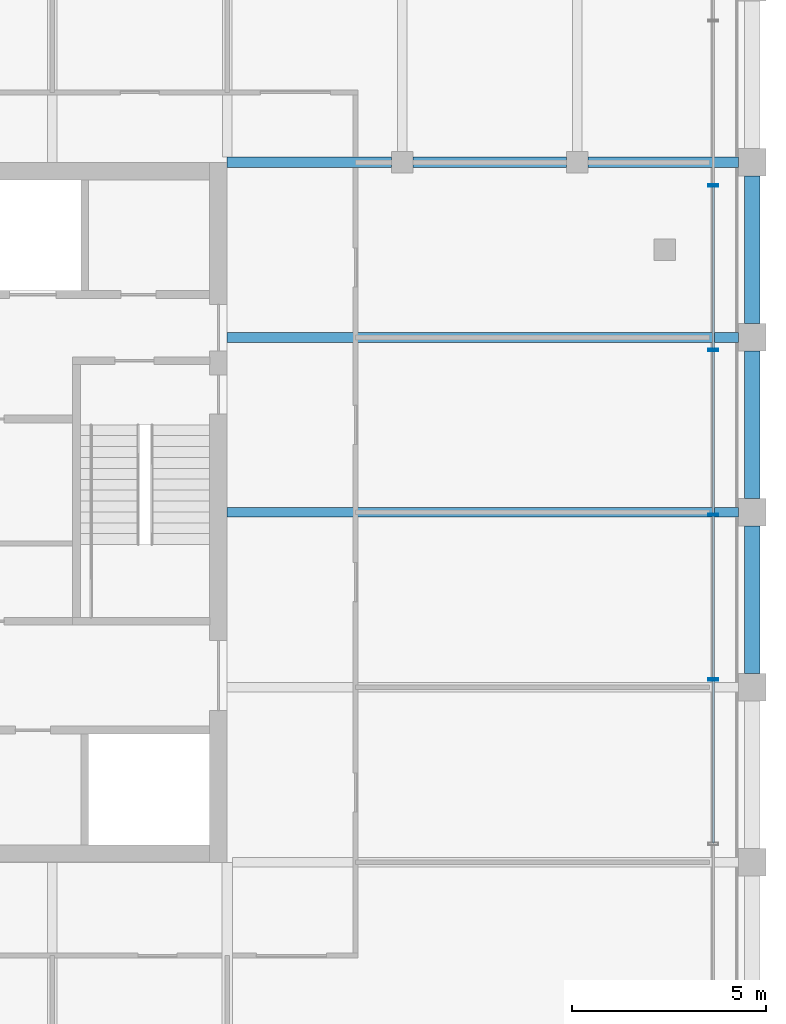
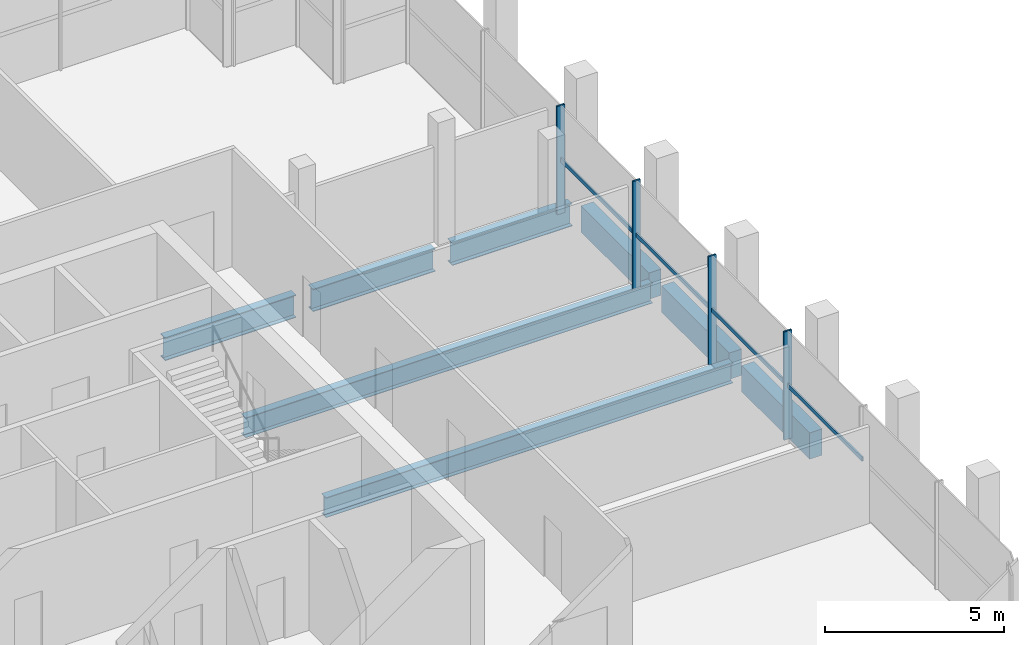
# One storey, part 9 of 17: 8 beams, 8 members, 1 element without a shape of its own.
"""IFC4 building model written with IfcOpenShell, lengths in metres."""

import ifcopenshell
import ifcopenshell.guid

model = None  # the IFC model being written
_history = None  # IfcOwnerHistory: only IFC2X3 demands one
_inside = {}  # id of a spatial element -> (the spatial element, [elements in it])
_under = {}  # id of a project, library or spatial element -> (it, [spatial elements below it])
_declared = {}  # id of a project -> (the project, [libraries it declares])
_typed = {}  # id of a type object -> (the type object, [elements of that type])
_made_of = {}  # id of a material, layer set ... -> (it, [elements and type objects made of it])


def new_model(schema):
    """Start an empty IFC model of exactly this schema.

    Asked for "IFC4X3", IfcOpenShell would pick the latest addendum, in which some entities
    have other attributes; the version numbers below select the first issue.
    IFC2X3 requires an IfcOwnerHistory on every rooted entity: one is made here for all.
    """
    global model, _history
    if schema == "IFC4X3":
        model = ifcopenshell.file(schema_version=(4, 3, 0, 0))
    else:
        model = ifcopenshell.file(schema=schema)
    _inside.clear()
    _under.clear()
    _declared.clear()
    _typed.clear()
    _made_of.clear()
    _history = None
    if model.schema == "IFC2X3":
        org = make("IfcOrganization", Name="unknown")
        user = make(
            "IfcPersonAndOrganization",
            ThePerson=make("IfcPerson", FamilyName="unknown"),
            TheOrganization=org,
        )
        app = make(
            "IfcApplication",
            ApplicationDeveloper=org,
            Version="unknown",
            ApplicationFullName="unknown",
            ApplicationIdentifier="unknown",
        )
        _history = make(
            "IfcOwnerHistory",
            OwningUser=user,
            OwningApplication=app,
            ChangeAction="ADDED",
            CreationDate=0,
        )
    return model


def make(cls, **values):
    """One entity of the class cls with the attributes given. An attribute that is None is left unset."""
    return model.create_entity(
        cls, **{name: value for name, value in values.items() if value is not None}
    )


def rooted(cls, **values):
    """An entity with a GlobalId (a new one), such as an element, a storey or a relation."""
    return make(cls, GlobalId=ifcopenshell.guid.new(), OwnerHistory=_history, **values)


def si_unit(unit_type, name, prefix=None):
    """IfcSIUnit, for example si_unit("LENGTHUNIT", "METRE", prefix="MILLI")."""
    return make("IfcSIUnit", UnitType=unit_type, Prefix=prefix, Name=name)


def assignment(units):
    """IfcUnitAssignment: the units of a project."""
    return None if units is None else make("IfcUnitAssignment", Units=units)


def point(xyz):
    """IfcCartesianPoint."""
    return None if xyz is None else make("IfcCartesianPoint", Coordinates=xyz)


def direction(xyz):
    """IfcDirection."""
    return None if xyz is None else make("IfcDirection", DirectionRatios=xyz)


def frame(location, z_axis=None, x_axis=None):
    """IfcAxis2Placement3D, a coordinate frame: its origin and axes. An axis left out is left unset."""
    return make(
        "IfcAxis2Placement3D",
        Location=point(location),
        Axis=direction(z_axis),
        RefDirection=direction(x_axis),
    )


def frame_2d(location, x_axis=None):
    """IfcAxis2Placement2D, a coordinate frame in the plane: its origin and x axis."""
    return make(
        "IfcAxis2Placement2D", Location=point(location), RefDirection=direction(x_axis)
    )


def origin():
    """The frame at (0, 0, 0) with its axes left unset."""
    return frame((0.0, 0.0, 0.0))


def origin_2d():
    """The frame at (0, 0) in the plane with its x axis left unset."""
    return frame_2d((0.0, 0.0))


def place(relative_to, where):
    """IfcLocalPlacement: puts the frame where relative to a parent placement (None: the world)."""
    return make(
        "IfcLocalPlacement", PlacementRelTo=relative_to, RelativePlacement=where
    )


def context(
    kind, dimensions, precision=None, world=None, true_north=None, identifier=None
):
    """IfcGeometricRepresentationContext, for example the 3D "Model" context."""
    return make(
        "IfcGeometricRepresentationContext",
        ContextIdentifier=identifier,
        ContextType=kind,
        CoordinateSpaceDimension=dimensions,
        Precision=precision,
        WorldCoordinateSystem=world,
        TrueNorth=true_north,
    )


def subcontext(parent, identifier, kind, view, scale=None):
    """IfcGeometricRepresentationSubContext, for example "Body" below "Model"."""
    return make(
        "IfcGeometricRepresentationSubContext",
        ContextIdentifier=identifier,
        ContextType=kind,
        ParentContext=parent,
        TargetScale=scale,
        TargetView=view,
    )


def project(units=None, contexts=None):
    """IfcProject with its units and contexts."""
    return rooted(
        "IfcProject",
        Name="project",
        RepresentationContexts=contexts,
        UnitsInContext=assignment(units),
    )


def spatial(cls, under=None, at=None, **own):
    """A site, building, storey or space (cls), placed at a placement, below another one or the project."""
    s = rooted(cls, ObjectPlacement=at, **own)
    if under is not None:
        _under.setdefault(under.id(), (under, []))[1].append(s)
    return s


def profile(cls, at=None, kind="AREA", **sizes):
    """A parametric profile (cls). Its sizes go by their IFC names, for example OverallWidth=200.0."""
    return make(cls, ProfileType=kind, Position=at, **sizes)


def rectangle(**sizes):
    """IfcRectangleProfileDef."""
    return profile("IfcRectangleProfileDef", **sizes)


def hollow_rectangle(**sizes):
    """IfcRectangleHollowProfileDef."""
    return profile("IfcRectangleHollowProfileDef", **sizes)


def i_section(**sizes):
    """IfcIShapeProfileDef."""
    return profile("IfcIShapeProfileDef", **sizes)


def extrude(swept, where, along, depth):
    """IfcExtrudedAreaSolid: the profile swept, set in the frame where, extruded along a direction by depth."""
    return make(
        "IfcExtrudedAreaSolid",
        SweptArea=swept,
        Position=where,
        ExtrudedDirection=direction(along),
        Depth=depth,
    )


def shape(context_of_items, identifier, shape_type, items):
    """IfcShapeRepresentation: the items that make up one representation, for example the "Body"."""
    return make(
        "IfcShapeRepresentation",
        ContextOfItems=context_of_items,
        RepresentationIdentifier=identifier,
        RepresentationType=shape_type,
        Items=items,
    )


def material(Name=None, Category=None):
    """IfcMaterial."""
    return make("IfcMaterial", Name=Name, Category=Category)


def material_profile(
    of_material, cross_section, Name=None, Category=None, Priority=None
):
    """IfcMaterialProfile: a cross section and its material."""
    return make(
        "IfcMaterialProfile",
        Name=Name,
        Material=of_material,
        Profile=cross_section,
        Priority=Priority,
        Category=Category,
    )


def profile_set(profiles, Name=None, composite=None):
    """IfcMaterialProfileSet."""
    return make(
        "IfcMaterialProfileSet",
        Name=Name,
        MaterialProfiles=profiles,
        CompositeProfile=composite,
    )


def made_of(thing, what):
    """Note that an element or type object is made of a material, layer set ...; save() writes the relation."""
    if what is not None:
        _made_of.setdefault(what.id(), (what, []))[1].append(thing)
    return thing


def type_object(cls, material=None, **own):
    """A type object (cls), such as IfcWallType, which elements share."""
    return made_of(rooted(cls, **own), material)


def element(
    cls,
    number,
    at=None,
    inside=None,
    cuts=None,
    type_object=None,
    material=None,
    context=None,
    identifier="Body",
    shape_type=None,
    held_by="IfcProductDefinitionShape",
    body=None,
    shapes=None,
    **own,
):
    """One element of the class cls, such as IfcWall. Its Tag is "e" and its number.

    at: its placement. inside: the storey or other place that contains it. cuts: it is an
    opening in that element (IfcRelVoidsElement). A single representation is given by context,
    identifier, shape_type and body (its items); several are given by shapes. held_by: the class
    of the entity that holds the representations. save() writes the other relations.
    """
    e = rooted(cls, Tag="e%d" % number, ObjectPlacement=at, **own)
    if body is not None:
        shapes = [shape(context, identifier, shape_type, body)]
    if shapes is not None:
        e.Representation = make(held_by, Representations=shapes)
    if inside is not None:
        _inside.setdefault(inside.id(), (inside, []))[1].append(e)
    if cuts is not None:
        rooted(
            "IfcRelVoidsElement", RelatingBuildingElement=cuts, RelatedOpeningElement=e
        )
    if type_object is not None:
        _typed.setdefault(type_object.id(), (type_object, []))[1].append(e)
    return made_of(e, material)


def aggregate(whole, parts):
    """IfcRelAggregates: a whole, such as a stair, and the parts it consists of."""
    return rooted("IfcRelAggregates", RelatingObject=whole, RelatedObjects=parts)


def save(model, path):
    """Write the relations noted so far, then the file.

    IfcRelAggregates (storeys below a building ...), IfcRelContainedInSpatialStructure (elements
    in a storey), IfcRelDefinesByType, IfcRelAssociatesMaterial and IfcRelDeclares: one each for
    every whole, place, type object, material and project.
    """
    for whole, parts in _under.values():
        aggregate(whole, parts)
    for where, things in _inside.values():
        rooted(
            "IfcRelContainedInSpatialStructure",
            RelatedElements=things,
            RelatingStructure=where,
        )
    for kind, things in _typed.values():
        rooted("IfcRelDefinesByType", RelatedObjects=things, RelatingType=kind)
    for what, things in _made_of.values():
        rooted("IfcRelAssociatesMaterial", RelatedObjects=things, RelatingMaterial=what)
    for by, libraries in _declared.values():
        rooted("IfcRelDeclares", RelatingContext=by, RelatedDefinitions=libraries)
    model.write(path)


model = new_model("IFC4")

# Units and contexts
model_context = context("Model", 3, precision=1e-05, world=origin(), true_north=direction((0.0, 1.0)))
body_context = subcontext(model_context, "Body", "Model", "MODEL_VIEW")
ifc_project = project(units=[si_unit("LENGTHUNIT", "METRE"), si_unit("AREAUNIT", "SQUARE_METRE"), si_unit("VOLUMEUNIT", "CUBIC_METRE"), si_unit("PLANEANGLEUNIT", "RADIAN"), si_unit("MASSUNIT", "GRAM", prefix="KILO")], contexts=[model_context])

# Site, building, storey
site_placement = place(None, origin())
site = spatial("IfcSite", under=ifc_project, at=site_placement, CompositionType="ELEMENT")
building_placement = place(site_placement, origin())
building = spatial("IfcBuilding", under=site, at=building_placement, Name="Altepetl Exchange Towers", CompositionType="ELEMENT")
storey_placement = place(building_placement, frame((0.0, 0.0, 255.199951171875)))
storey = spatial("IfcBuildingStorey", under=building, at=storey_placement, Name="L65", CompositionType="ELEMENT", Elevation=255.199951171875)

# Beams
ifc_material_1 = material(Name="Steel S355", Category="steel")
ifc_material_profile_1 = material_profile(ifc_material_1, i_section(OverallWidth=0.25390625, OverallDepth=0.68408203125, WebThickness=0.012451171875, FlangeThickness=0.018798828125, at=origin_2d()), Name="W27X94")
ifc_profile_set_1 = profile_set([ifc_material_profile_1], Name="Steel S355")
beam_type_1 = type_object("IfcBeamType", Name="Floor beam W27X94", PredefinedType="BEAM", material=ifc_profile_set_1)
for number, where, z_axis, x_axis, name in (
    (1, (58.5, 49.5, -0.516845703125), (1.0, 0.0, 0.0), (0.0, 1.0, 0.0), "bm:A:L65:010"),
    (2, (58.5, 54.0, -0.516845703125), (1.0, 0.0, 0.0), (0.0, 1.0, 0.0), "bm:A:L65:011"),
):
    element("IfcBeam", number, at=place(storey_placement, frame(where, z_axis=z_axis, x_axis=x_axis)), inside=storey, type_object=beam_type_1, Name=name, PredefinedType="BEAM", context=body_context, shape_type="SweptSolid", body=[
        extrude(i_section(OverallWidth=0.25390625, OverallDepth=0.68408203125, WebThickness=0.012451171875, FlangeThickness=0.018798828125, at=origin_2d()), origin(), (0.0, 0.0, 1.0), 13.14990234375),
    ])
ifc_material_profile_2 = material_profile(ifc_material_1, i_section(OverallWidth=0.26806640625, OverallDepth=0.77392578125, WebThickness=0.015380859375, FlangeThickness=0.025390625, at=origin_2d()), Name="W30X132")
ifc_profile_set_2 = profile_set([ifc_material_profile_2], Name="Steel S355")
beam_type_2 = type_object("IfcBeamType", Name="Girder W30X132", PredefinedType="BEAM", material=ifc_profile_set_2)
beam_1_placement = place(storey_placement, frame((58.5, 58.5, -0.56201171875), z_axis=(1.0, 0.0, 0.0), x_axis=(0.0, 1.0, 0.0)))
element("IfcBeam", 3, at=beam_1_placement, inside=storey, type_object=beam_type_2, Name="gd:A:L65:000", PredefinedType="BEAM", context=body_context, shape_type="SweptSolid", body=[
    extrude(i_section(OverallWidth=0.26806640625, OverallDepth=0.77392578125, WebThickness=0.015380859375, FlangeThickness=0.025390625, at=origin_2d()), origin(), (0.0, 0.0, 1.0), 4.22509765625),
])
beam_2_placement = place(storey_placement, frame((63.27490234375, 58.5, -0.56201171875), z_axis=(1.0, 0.0, 0.0), x_axis=(0.0, 1.0, 0.0)))
element("IfcBeam", 4, at=beam_2_placement, inside=storey, type_object=beam_type_2, Name="gd:A:L65:001", PredefinedType="BEAM", context=body_context, shape_type="SweptSolid", body=[
    extrude(i_section(OverallWidth=0.26806640625, OverallDepth=0.77392578125, WebThickness=0.015380859375, FlangeThickness=0.025390625, at=origin_2d()), origin(), (0.0, 0.0, 1.0), 3.9501953125),
])
beam_3_placement = place(storey_placement, frame((67.77490234375, 58.5, -0.56201171875), z_axis=(1.0, 0.0, 0.0), x_axis=(0.0, 1.0, 0.0)))
element("IfcBeam", 5, at=beam_3_placement, inside=storey, type_object=beam_type_2, Name="gd:A:L65:002", PredefinedType="BEAM", context=body_context, shape_type="SweptSolid", body=[
    extrude(i_section(OverallWidth=0.26806640625, OverallDepth=0.77392578125, WebThickness=0.015380859375, FlangeThickness=0.025390625, at=origin_2d()), origin(), (0.0, 0.0, 1.0), 3.875),
])

# Curtain wall, members
ifc_material_2 = material(Name="Aluminium 6063-T6 glazing", Category="aluminium")
curtain_wall_type = type_object("IfcCurtainWallType", Name="Executive flush glazing system", PredefinedType="NOTDEFINED", material=ifc_material_2)
curtain_wall_placement = place(storey_placement, origin())
curtain_wall = element("IfcCurtainWall", 6, at=curtain_wall_placement, inside=storey, type_object=curtain_wall_type, Name="CW4 run", PredefinedType="NOTDEFINED")
ifc_material_3 = material(Name="Aluminium 6063-T6", Category="aluminium")
ifc_material_profile_3 = material_profile(ifc_material_3, hollow_rectangle(XDim=0.06005859375, YDim=0.25, WallThickness=0.0029296875, at=origin_2d()), Name="Mullion 60x250 hollow aluminium")
ifc_profile_set_3 = profile_set([ifc_material_profile_3], Name="Aluminium 6063-T6")
member_type_1 = type_object("IfcMemberType", Name="Mullion 60x250 hollow aluminium", PredefinedType="MULLION", material=ifc_profile_set_3)
member_1_placement = place(storey_placement, frame((71.0, 45.203125, 0.0), z_axis=(0.0, 0.0, 1.0), x_axis=(0.0, 1.0, 0.0)))
member_1 = element("IfcMember", 7, at=member_1_placement, type_object=member_type_1, Name="MU3 mullion", PredefinedType="MULLION", context=body_context, shape_type="SweptSolid", body=[
    extrude(hollow_rectangle(XDim=0.06005859375, YDim=0.25, WallThickness=0.0029296875, at=origin_2d()), origin(), (0.0, 0.0, 1.0), 3.699951171875),
])
member_2_placement = place(storey_placement, frame((71.0, 49.4375, 0.0), z_axis=(0.0, 0.0, 1.0), x_axis=(0.0, 1.0, 0.0)))
member_2 = element("IfcMember", 8, at=member_2_placement, type_object=member_type_1, Name="MU3 mullion", PredefinedType="MULLION", context=body_context, shape_type="SweptSolid", body=[
    extrude(hollow_rectangle(XDim=0.06005859375, YDim=0.25, WallThickness=0.0029296875, at=origin_2d()), origin(), (0.0, 0.0, 1.0), 3.699951171875),
])
member_3_placement = place(storey_placement, frame((71.0, 53.671875, 0.0), z_axis=(0.0, 0.0, 1.0), x_axis=(0.0, 1.0, 0.0)))
member_3 = element("IfcMember", 9, at=member_3_placement, type_object=member_type_1, Name="MU3 mullion", PredefinedType="MULLION", context=body_context, shape_type="SweptSolid", body=[
    extrude(hollow_rectangle(XDim=0.06005859375, YDim=0.25, WallThickness=0.0029296875, at=origin_2d()), origin(), (0.0, 0.0, 1.0), 3.699951171875),
])
member_4_placement = place(storey_placement, frame((71.0, 57.90625, 0.0), z_axis=(0.0, 0.0, 1.0), x_axis=(0.0, 1.0, 0.0)))
member_4 = element("IfcMember", 10, at=member_4_placement, type_object=member_type_1, Name="MU3 mullion", PredefinedType="MULLION", context=body_context, shape_type="SweptSolid", body=[
    extrude(hollow_rectangle(XDim=0.06005859375, YDim=0.25, WallThickness=0.0029296875, at=origin_2d()), origin(), (0.0, 0.0, 1.0), 3.699951171875),
])

# Beams
ifc_material_4 = material(Name="Concrete C50/60 precast with cantera amarilla facing", Category="concrete")
ifc_material_profile_4 = material_profile(ifc_material_4, rectangle(XDim=0.39990234375, YDim=0.89990234375, at=origin_2d()), Name="400 x 900")
ifc_profile_set_4 = profile_set([ifc_material_profile_4], Name="Concrete C50/60 precast with cantera amarilla facing")
beam_type_3 = type_object("IfcBeamType", Name="Spandrel beam 400x900 cantera amarilla", PredefinedType="SPANDREL", material=ifc_profile_set_4)
for number, where, z_axis, x_axis, name in (
    (11, (72.0, 45.35009765625, -0.625), (0.0, 1.0, 0.0), (-1.0, 0.0, 0.0), "sp:A:L65:015"),
    (12, (72.0, 49.85009765625, -0.625), (0.0, 1.0, 0.0), (-1.0, 0.0, 0.0), "sp:A:L65:016"),
    (13, (72.0, 54.35009765625, -0.625), (0.0, 1.0, 0.0), (-1.0, 0.0, 0.0), "sp:A:L65:017"),
):
    element("IfcBeam", number, at=place(storey_placement, frame(where, z_axis=z_axis, x_axis=x_axis)), inside=storey, type_object=beam_type_3, Name=name, PredefinedType="SPANDREL", context=body_context, shape_type="SweptSolid", body=[
        extrude(rectangle(XDim=0.39990234375, YDim=0.89990234375, at=origin_2d()), origin(), (0.0, 0.0, 1.0), 3.7998046875),
    ])

# Member
ifc_material_profile_5 = material_profile(ifc_material_3, hollow_rectangle(XDim=0.050048828125, YDim=0.139892578125, WallThickness=0.0029296875, at=origin_2d()), Name="Transom 50x140 hollow aluminium")
ifc_profile_set_5 = profile_set([ifc_material_profile_5], Name="Aluminium 6063-T6")
member_type_2 = type_object("IfcMemberType", Name="Transom 50x140 hollow aluminium", PredefinedType="USERDEFINED", material=ifc_profile_set_5)
member_5_placement = place(storey_placement, frame((71.0, 40.998779296875, 1.85009765625), z_axis=(0.0, 1.0, 0.0), x_axis=(-1.0, 0.0, 0.0)))
member_5 = element("IfcMember", 14, at=member_5_placement, type_object=member_type_2, Name="TR2 transom", ObjectType="TRANSOM", PredefinedType="USERDEFINED", context=body_context, shape_type="SweptSolid", body=[
    extrude(hollow_rectangle(XDim=0.050048828125, YDim=0.139892578125, WallThickness=0.0029296875, at=origin_2d()), origin(), (0.0, 0.0, 1.0), 4.17431640625),
])

member_6_placement = place(storey_placement, frame((71.0, 45.233154296875, 1.85009765625), z_axis=(0.0, 1.0, 0.0), x_axis=(-1.0, 0.0, 0.0)))
member_6 = element("IfcMember", 15, at=member_6_placement, type_object=member_type_2, Name="TR2 transom", ObjectType="TRANSOM", PredefinedType="USERDEFINED", context=body_context, shape_type="SweptSolid", body=[
    extrude(hollow_rectangle(XDim=0.050048828125, YDim=0.139892578125, WallThickness=0.0029296875, at=origin_2d()), origin(), (0.0, 0.0, 1.0), 4.17431640625),
])

member_7_placement = place(storey_placement, frame((71.0, 49.467529296875, 1.85009765625), z_axis=(0.0, 1.0, 0.0), x_axis=(-1.0, 0.0, 0.0)))
member_7 = element("IfcMember", 16, at=member_7_placement, type_object=member_type_2, Name="TR2 transom", ObjectType="TRANSOM", PredefinedType="USERDEFINED", context=body_context, shape_type="SweptSolid", body=[
    extrude(hollow_rectangle(XDim=0.050048828125, YDim=0.139892578125, WallThickness=0.0029296875, at=origin_2d()), origin(), (0.0, 0.0, 1.0), 4.17431640625),
])

member_8_placement = place(storey_placement, frame((71.0, 53.701904296875, 1.85009765625), z_axis=(0.0, 1.0, 0.0), x_axis=(-1.0, 0.0, 0.0)))
member_8 = element("IfcMember", 17, at=member_8_placement, type_object=member_type_2, Name="TR2 transom", ObjectType="TRANSOM", PredefinedType="USERDEFINED", context=body_context, shape_type="SweptSolid", body=[
    extrude(hollow_rectangle(XDim=0.050048828125, YDim=0.139892578125, WallThickness=0.0029296875, at=origin_2d()), origin(), (0.0, 0.0, 1.0), 4.17431640625),
])

aggregate(curtain_wall, [member_1, member_2, member_3, member_4, member_5, member_6, member_7, member_8])

save(model, "model.ifc")
